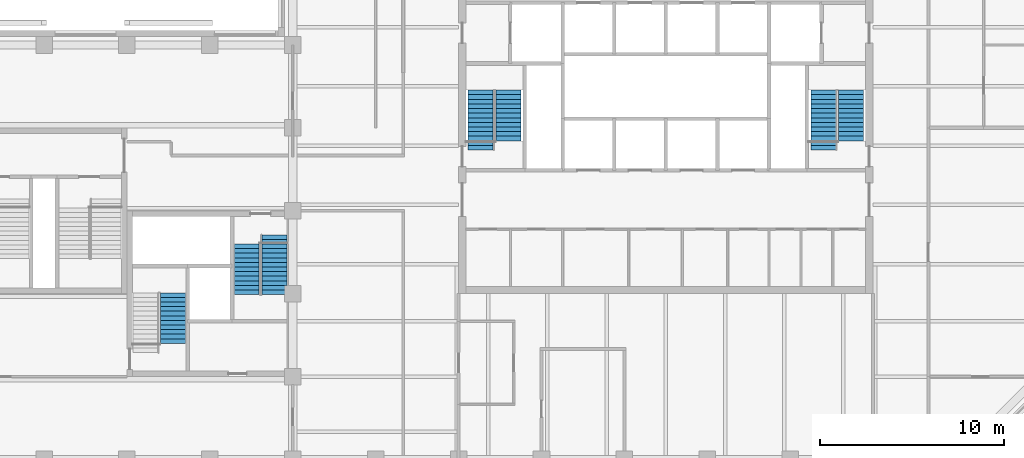
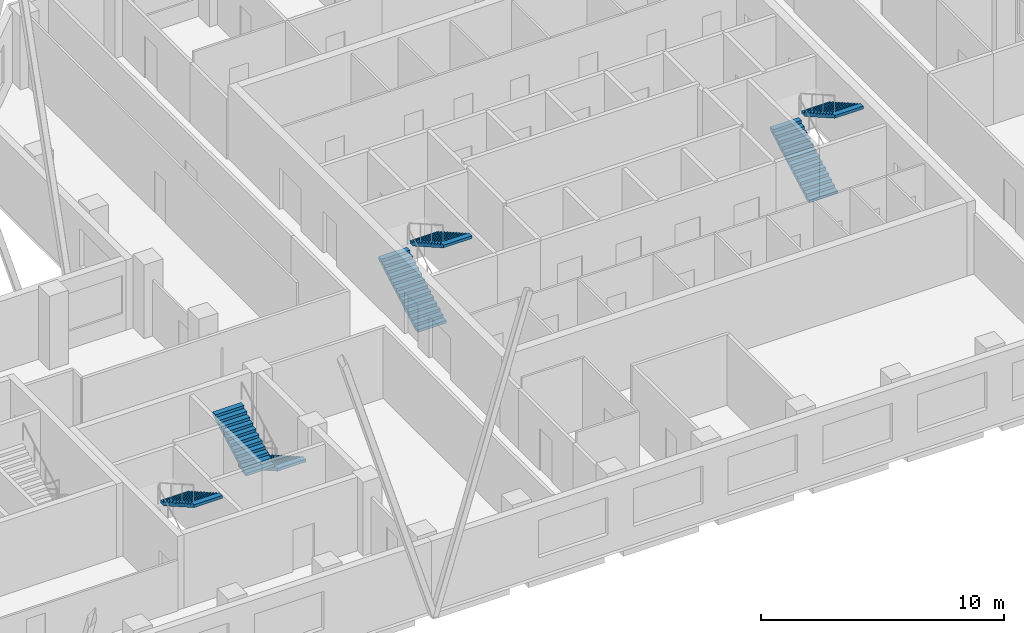
# One storey, part 8 of 9: 7 stair flights, 4 elements without a shape of their own.
"""IFC4 building model written with IfcOpenShell, lengths in metres."""

from ifc_helpers import new_model, si_unit, direction, frame, origin, place, context, subcontext, project, spatial, polyline, outline, extrude, material, type_object, element, aggregate, save


model = new_model("IFC4")

# Units and contexts
model_context = context("Model", 3, precision=1e-05, world=origin(), true_north=direction((0.0, 1.0)))
body_context = subcontext(model_context, "Body", "Model", "MODEL_VIEW")
ifc_project = project(units=[si_unit("LENGTHUNIT", "METRE"), si_unit("AREAUNIT", "SQUARE_METRE"), si_unit("VOLUMEUNIT", "CUBIC_METRE"), si_unit("PLANEANGLEUNIT", "RADIAN"), si_unit("MASSUNIT", "GRAM", prefix="KILO")], contexts=[model_context])

# Site, building, storey
site_placement = place(None, origin())
site = spatial("IfcSite", under=ifc_project, at=site_placement, CompositionType="ELEMENT")
building_placement = place(site_placement, origin())
building = spatial("IfcBuilding", under=site, at=building_placement, Name="Quoin Convention Tower", CompositionType="ELEMENT")
storey_placement = place(building_placement, frame((0.0, 0.0, 158.800048828125)))
storey = spatial("IfcBuildingStorey", under=building, at=storey_placement, Name="L41", CompositionType="ELEMENT", Elevation=158.800048828125)

# Stair, stair flights
ifc_material = material(Name="Concrete C40", Category="concrete")
stair_type = type_object("IfcStairType", Name="Exit stair two-flight 1350", PredefinedType="HALF_TURN_STAIR", material=ifc_material)
stair_1_placement = place(storey_placement, origin())
stair_1 = element("IfcStair", 1, at=stair_1_placement, inside=storey, type_object=stair_type, Name="SD1 L41", PredefinedType="HALF_TURN_STAIR")
stair_flight_type = type_object("IfcStairFlightType", Name="Stair flight 1350", PredefinedType="STRAIGHT", material=ifc_material)
stair_flight_1_placement = place(storey_placement, frame((46.199951171875, 57.300048828125, 0.0), z_axis=(0.0, 0.0, 1.0), x_axis=(0.0, 1.0, 0.0)))
stair_flight_1 = element("IfcStairFlight", 2, at=stair_flight_1_placement, type_object=stair_flight_type, Name="ST1 flight 1", NumberOfRisers=14, NumberOfTreads=13, PredefinedType="STRAIGHT", RiserHeight=0.142307692, TreadLength=0.25, context=body_context, shape_type="SweptSolid", body=[
    extrude(outline(polyline([(0.0, 0.0), (0.0, 0.142333984375), (0.25, 0.142333984375), (0.25, 0.28466796875), (0.5, 0.28466796875), (0.5, 0.427001953125), (0.75, 0.427001953125), (0.75, 0.5693359375), (1.0, 0.5693359375), (1.0, 0.71142578125), (1.25, 0.71142578125), (1.25, 0.853759765625), (1.5, 0.853759765625), (1.5, 0.99609375), (1.75, 0.99609375), (1.75, 1.138427734375), (2.0, 1.138427734375), (2.0, 1.28076171875), (2.25, 1.28076171875), (2.25, 1.423095703125), (2.5, 1.423095703125), (2.5, 1.5654296875), (2.75, 1.5654296875), (2.75, 1.707763671875), (3.0, 1.707763671875), (3.0, 1.85009765625), (3.25, 1.85009765625), (3.25, 1.9921875), (3.25, 1.711669921875), (0.242919921875, 0.0), (0.0, 0.0)])), frame((0.0, 0.675048828125, 0.0), z_axis=(0.0, -1.0, 0.0), x_axis=(1.0, 0.0, 0.0)), (0.0, 0.0, 1.0), 1.35009765625),
])
stair_flight_2_placement = place(storey_placement, frame((47.699951171875, 60.550048828125, 1.9921875), z_axis=(0.0, 0.0, 1.0), x_axis=(0.0, -1.0, 0.0)))
stair_flight_2 = element("IfcStairFlight", 3, at=stair_flight_2_placement, type_object=stair_flight_type, Name="ST1 flight 2", NumberOfRisers=12, NumberOfTreads=11, PredefinedType="STRAIGHT", RiserHeight=0.142307692, TreadLength=0.25, context=body_context, shape_type="SweptSolid", body=[
    extrude(outline(polyline([(0.0, 0.0), (0.0, 0.142333984375), (0.25, 0.142333984375), (0.25, 0.28466796875), (0.5, 0.28466796875), (0.5, 0.427001953125), (0.75, 0.427001953125), (0.75, 0.5693359375), (1.0, 0.5693359375), (1.0, 0.71142578125), (1.25, 0.71142578125), (1.25, 0.853759765625), (1.5, 0.853759765625), (1.5, 0.99609375), (1.75, 0.99609375), (1.75, 1.138427734375), (2.0, 1.138427734375), (2.0, 1.28076171875), (2.25, 1.28076171875), (2.25, 1.423095703125), (2.5, 1.423095703125), (2.5, 1.5654296875), (2.75, 1.5654296875), (2.75, 1.707763671875), (2.75, 1.42724609375), (0.242919921875, 0.0), (0.0, 0.0)])), frame((0.0, 0.675048828125, 0.0), z_axis=(0.0, -1.0, 0.0), x_axis=(1.0, 0.0, 0.0)), (0.0, 0.0, 1.0), 1.35009765625),
])
aggregate(stair_1, [stair_flight_1, stair_flight_2])

stair_2_placement = place(storey_placement, origin())
stair_2 = element("IfcStair", 4, at=stair_2_placement, inside=storey, type_object=stair_type, Name="SD2 L41", PredefinedType="HALF_TURN_STAIR")
stair_flight_3_placement = place(storey_placement, frame((64.800048828125, 57.300048828125, 0.0), z_axis=(0.0, 0.0, 1.0), x_axis=(0.0, 1.0, 0.0)))
stair_flight_3 = element("IfcStairFlight", 5, at=stair_flight_3_placement, type_object=stair_flight_type, Name="ST2 flight 1", NumberOfRisers=14, NumberOfTreads=13, PredefinedType="STRAIGHT", RiserHeight=0.142307692, TreadLength=0.25, context=body_context, shape_type="SweptSolid", body=[
    extrude(outline(polyline([(0.0, 0.0), (0.0, 0.142333984375), (0.25, 0.142333984375), (0.25, 0.28466796875), (0.5, 0.28466796875), (0.5, 0.427001953125), (0.75, 0.427001953125), (0.75, 0.5693359375), (1.0, 0.5693359375), (1.0, 0.71142578125), (1.25, 0.71142578125), (1.25, 0.853759765625), (1.5, 0.853759765625), (1.5, 0.99609375), (1.75, 0.99609375), (1.75, 1.138427734375), (2.0, 1.138427734375), (2.0, 1.28076171875), (2.25, 1.28076171875), (2.25, 1.423095703125), (2.5, 1.423095703125), (2.5, 1.5654296875), (2.75, 1.5654296875), (2.75, 1.707763671875), (3.0, 1.707763671875), (3.0, 1.85009765625), (3.25, 1.85009765625), (3.25, 1.9921875), (3.25, 1.711669921875), (0.242919921875, 0.0), (0.0, 0.0)])), frame((0.0, 0.675048828125, 0.0), z_axis=(0.0, -1.0, 0.0), x_axis=(1.0, 0.0, 0.0)), (0.0, 0.0, 1.0), 1.35009765625),
])
stair_flight_4_placement = place(storey_placement, frame((66.300048828125, 60.550048828125, 1.9921875), z_axis=(0.0, 0.0, 1.0), x_axis=(0.0, -1.0, 0.0)))
stair_flight_4 = element("IfcStairFlight", 6, at=stair_flight_4_placement, type_object=stair_flight_type, Name="ST2 flight 2", NumberOfRisers=12, NumberOfTreads=11, PredefinedType="STRAIGHT", RiserHeight=0.142307692, TreadLength=0.25, context=body_context, shape_type="SweptSolid", body=[
    extrude(outline(polyline([(0.0, 0.0), (0.0, 0.142333984375), (0.25, 0.142333984375), (0.25, 0.28466796875), (0.5, 0.28466796875), (0.5, 0.427001953125), (0.75, 0.427001953125), (0.75, 0.5693359375), (1.0, 0.5693359375), (1.0, 0.71142578125), (1.25, 0.71142578125), (1.25, 0.853759765625), (1.5, 0.853759765625), (1.5, 0.99609375), (1.75, 0.99609375), (1.75, 1.138427734375), (2.0, 1.138427734375), (2.0, 1.28076171875), (2.25, 1.28076171875), (2.25, 1.423095703125), (2.5, 1.423095703125), (2.5, 1.5654296875), (2.75, 1.5654296875), (2.75, 1.707763671875), (2.75, 1.42724609375), (0.242919921875, 0.0), (0.0, 0.0)])), frame((0.0, 0.675048828125, 0.0), z_axis=(0.0, -1.0, 0.0), x_axis=(1.0, 0.0, 0.0)), (0.0, 0.0, 1.0), 1.35009765625),
])
aggregate(stair_2, [stair_flight_3, stair_flight_4])

# Stair, stair flight
stair_3_placement = place(storey_placement, origin())
stair_3 = element("IfcStair", 7, at=stair_3_placement, inside=storey, type_object=stair_type, Name="SD3 L41", PredefinedType="HALF_TURN_STAIR")
stair_flight_5_placement = place(storey_placement, frame((29.5, 49.550048828125, 1.9921875), z_axis=(0.0, 0.0, 1.0), x_axis=(0.0, -1.0, 0.0)))
stair_flight_5 = element("IfcStairFlight", 8, at=stair_flight_5_placement, type_object=stair_flight_type, Name="ST3 flight 2", NumberOfRisers=12, NumberOfTreads=11, PredefinedType="STRAIGHT", RiserHeight=0.142307692, TreadLength=0.25, context=body_context, shape_type="SweptSolid", body=[
    extrude(outline(polyline([(0.0, 0.0), (0.0, 0.142333984375), (0.25, 0.142333984375), (0.25, 0.28466796875), (0.5, 0.28466796875), (0.5, 0.427001953125), (0.75, 0.427001953125), (0.75, 0.5693359375), (1.0, 0.5693359375), (1.0, 0.71142578125), (1.25, 0.71142578125), (1.25, 0.853759765625), (1.5, 0.853759765625), (1.5, 0.99609375), (1.75, 0.99609375), (1.75, 1.138427734375), (2.0, 1.138427734375), (2.0, 1.28076171875), (2.25, 1.28076171875), (2.25, 1.423095703125), (2.5, 1.423095703125), (2.5, 1.5654296875), (2.75, 1.5654296875), (2.75, 1.707763671875), (2.75, 1.42724609375), (0.242919921875, 0.0), (0.0, 0.0)])), frame((0.0, 0.675048828125, 0.0), z_axis=(0.0, -1.0, 0.0), x_axis=(1.0, 0.0, 0.0)), (0.0, 0.0, 1.0), 1.35009765625),
])
aggregate(stair_3, [stair_flight_5])

# Stair, stair flights
stair_4_placement = place(storey_placement, origin())
stair_4 = element("IfcStair", 9, at=stair_4_placement, inside=storey, type_object=stair_type, Name="SD4 L41", PredefinedType="HALF_TURN_STAIR")
stair_flight_6_placement = place(storey_placement, frame((35.0, 52.699951171875, 0.0), z_axis=(0.0, 0.0, 1.0), x_axis=(0.0, -1.0, 0.0)))
stair_flight_6 = element("IfcStairFlight", 10, at=stair_flight_6_placement, type_object=stair_flight_type, Name="ST4 flight 1", NumberOfRisers=14, NumberOfTreads=13, PredefinedType="STRAIGHT", RiserHeight=0.142307692, TreadLength=0.25, context=body_context, shape_type="SweptSolid", body=[
    extrude(outline(polyline([(0.0, 0.0), (0.0, 0.142333984375), (0.25, 0.142333984375), (0.25, 0.28466796875), (0.5, 0.28466796875), (0.5, 0.427001953125), (0.75, 0.427001953125), (0.75, 0.5693359375), (1.0, 0.5693359375), (1.0, 0.71142578125), (1.25, 0.71142578125), (1.25, 0.853759765625), (1.5, 0.853759765625), (1.5, 0.99609375), (1.75, 0.99609375), (1.75, 1.138427734375), (2.0, 1.138427734375), (2.0, 1.28076171875), (2.25, 1.28076171875), (2.25, 1.423095703125), (2.5, 1.423095703125), (2.5, 1.5654296875), (2.75, 1.5654296875), (2.75, 1.707763671875), (3.0, 1.707763671875), (3.0, 1.85009765625), (3.25, 1.85009765625), (3.25, 1.9921875), (3.25, 1.711669921875), (0.242919921875, 0.0), (0.0, 0.0)])), frame((0.0, 0.675048828125, 0.0), z_axis=(0.0, -1.0, 0.0), x_axis=(1.0, 0.0, 0.0)), (0.0, 0.0, 1.0), 1.35009765625),
])
stair_flight_7_placement = place(storey_placement, frame((33.5, 49.449951171875, 1.9921875), z_axis=(0.0, 0.0, 1.0), x_axis=(0.0, 1.0, 0.0)))
stair_flight_7 = element("IfcStairFlight", 11, at=stair_flight_7_placement, type_object=stair_flight_type, Name="ST4 flight 2", NumberOfRisers=12, NumberOfTreads=11, PredefinedType="STRAIGHT", RiserHeight=0.142307692, TreadLength=0.25, context=body_context, shape_type="SweptSolid", body=[
    extrude(outline(polyline([(0.0, 0.0), (0.0, 0.142333984375), (0.25, 0.142333984375), (0.25, 0.28466796875), (0.5, 0.28466796875), (0.5, 0.427001953125), (0.75, 0.427001953125), (0.75, 0.5693359375), (1.0, 0.5693359375), (1.0, 0.71142578125), (1.25, 0.71142578125), (1.25, 0.853759765625), (1.5, 0.853759765625), (1.5, 0.99609375), (1.75, 0.99609375), (1.75, 1.138427734375), (2.0, 1.138427734375), (2.0, 1.28076171875), (2.25, 1.28076171875), (2.25, 1.423095703125), (2.5, 1.423095703125), (2.5, 1.5654296875), (2.75, 1.5654296875), (2.75, 1.707763671875), (2.75, 1.42724609375), (0.242919921875, 0.0), (0.0, 0.0)])), frame((0.0, 0.675048828125, 0.0), z_axis=(0.0, -1.0, 0.0), x_axis=(1.0, 0.0, 0.0)), (0.0, 0.0, 1.0), 1.35009765625),
])
aggregate(stair_4, [stair_flight_6, stair_flight_7])

save(model, "model.ifc")
